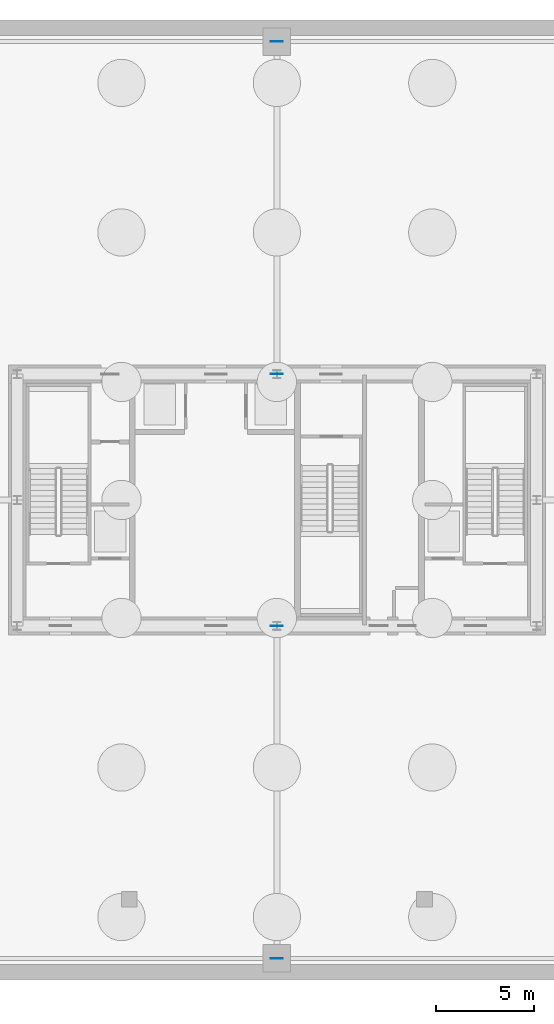
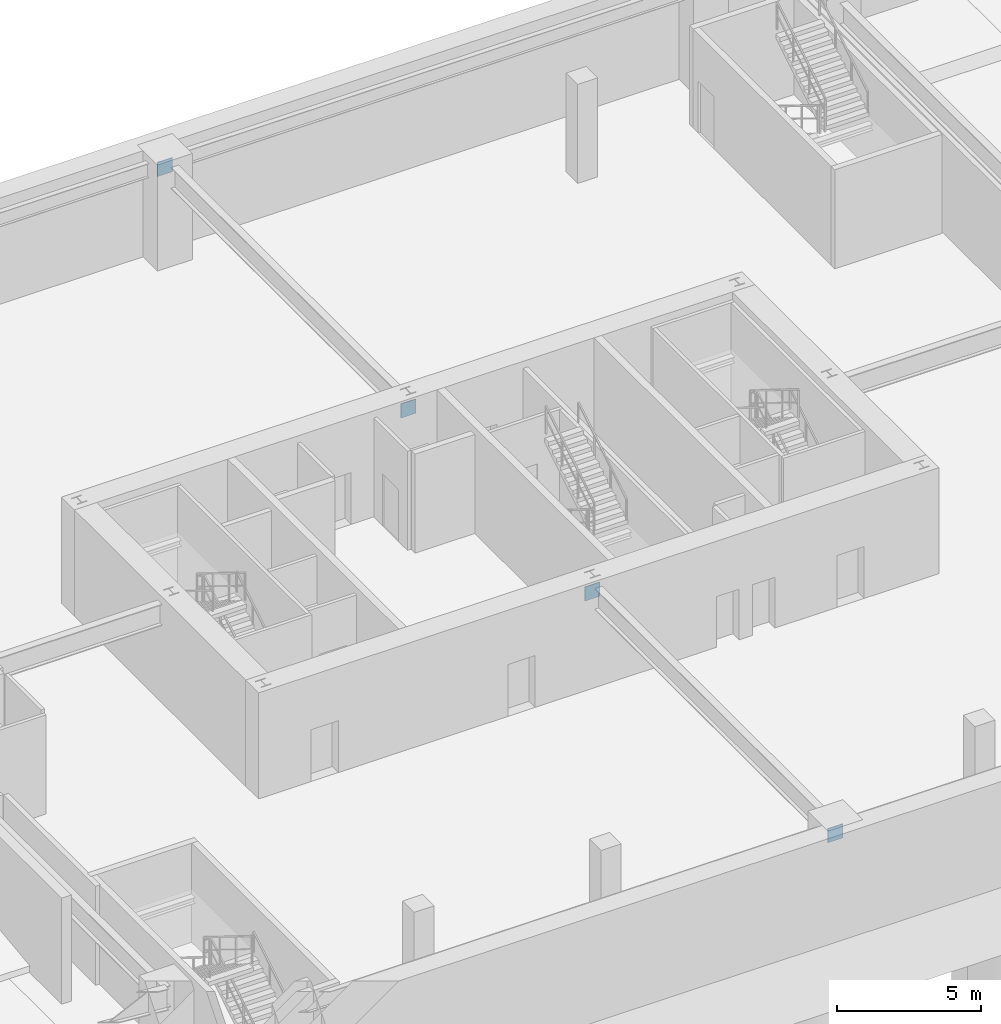
# One storey, part 7 of 10: 4 discrete accessories.
"""IFC4 building model written with IfcOpenShell, lengths in metres."""

from ifc_helpers import new_model, si_unit, direction, frame, origin, origin_2d, place, context, subcontext, project, spatial, rectangle, extrude, source, transform, mapped, material, layer, layer_set, type_object, element, save


model = new_model("IFC4")

# Units and contexts
model_context = context("Model", 3, precision=1e-05, world=origin(), true_north=direction((0.0, 1.0)))
body_context = subcontext(model_context, "Body", "Model", "MODEL_VIEW")
ifc_project = project(units=[si_unit("LENGTHUNIT", "METRE"), si_unit("AREAUNIT", "SQUARE_METRE"), si_unit("VOLUMEUNIT", "CUBIC_METRE"), si_unit("PLANEANGLEUNIT", "RADIAN"), si_unit("MASSUNIT", "GRAM", prefix="KILO"), si_unit("THERMODYNAMICTEMPERATUREUNIT", "KELVIN"), si_unit("POWERUNIT", "WATT")], contexts=[model_context])

# Site, building, storey
site_placement = place(None, origin())
site = spatial("IfcSite", under=ifc_project, at=site_placement, CompositionType="ELEMENT")
building_placement = place(site_placement, origin())
building = spatial("IfcBuilding", under=site, at=building_placement, Name="Yuzanri Waterfront Tower", CompositionType="ELEMENT")
storey_placement = place(building_placement, frame((0.0, 0.0, -9.0)))
storey = spatial("IfcBuildingStorey", under=building, at=storey_placement, Name="B02", CompositionType="ELEMENT", Elevation=-9.0)

# Discrete accessories
ifc_material = material(Name="Steel Q355B", Category="steel")
ifc_layer = layer(ifc_material, 0.031982421875)
ifc_layer_set = layer_set([ifc_layer], Name="Steel Q355B")
discrete_accessory_type = type_object("IfcDiscreteAccessoryType", Name="Steel Q355B Core Wall Cast-In Embed Plate 600x600x32", PredefinedType="USERDEFINED", material=ifc_layer_set)
shared_shape = source(origin(), body_context, "Body", "SweptSolid", [
    extrude(rectangle(XDim=0.60009765625, YDim=0.031982421875, at=origin_2d()), origin(), (0.0, 0.0, 1.0), 0.60009765625),
])
for number, where, z_axis, x_axis, name in (
    (1, (37.0, 19.39990234375, 3.449951171875), (0.0, 0.0, 1.0), (1.0, 0.0, 0.0), "Core Wall Cast-In Embed Plate EP-01"),
    (2, (37.0, 32.199951171875, 3.449951171875), (0.0, 0.0, 1.0), (1.0, 0.0, 0.0), "Core Wall Cast-In Embed Plate EP-01"),
    (3, (37.0, 2.5, 3.449951171875), (0.0, 0.0, 1.0), (1.0, 0.0, 0.0), "Core Wall Cast-In Embed Plate EP-01"),
    (4, (37.0, 49.10009765625, 3.449951171875), (0.0, 0.0, 1.0), (1.0, 0.0, 0.0), "Core Wall Cast-In Embed Plate EP-01"),
):
    element("IfcDiscreteAccessory", number, at=place(storey_placement, frame(where, z_axis=z_axis, x_axis=x_axis)), inside=storey, type_object=discrete_accessory_type, Name=name, ObjectType="CAST-IN EMBED PLATE", PredefinedType="USERDEFINED", context=body_context, shape_type="MappedRepresentation", body=[
        mapped(shared_shape, transform((0.0, 0.0, 0.0), scale=1.0)),
    ])

save(model, "model.ifc")
